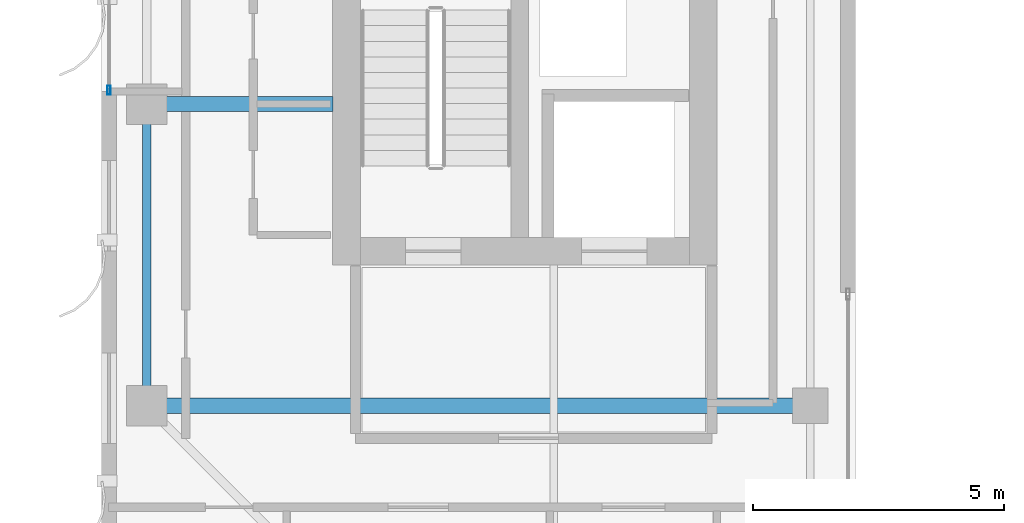
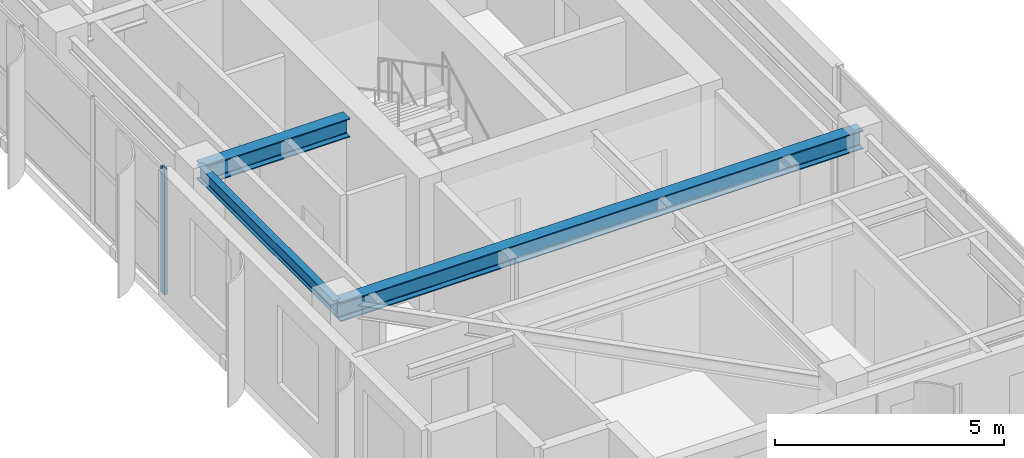
# One storey, part 3 of 24: 3 beams, 1 member, 1 element without a shape of its own.
"""IFC4 building model written with IfcOpenShell, lengths in metres."""

from ifc_helpers import new_model, si_unit, direction, frame, origin, origin_2d, place, context, subcontext, project, spatial, hollow_rectangle, i_section, extrude, source, transform, mapped, material, layer, layer_set, material_profile, profile_set, type_object, element, aggregate, save


model = new_model("IFC4")

# Units and contexts
model_context = context("Model", 3, precision=1e-05, world=origin(), true_north=direction((0.0, 1.0)))
body_context = subcontext(model_context, "Body", "Model", "MODEL_VIEW")
ifc_project = project(units=[si_unit("LENGTHUNIT", "METRE"), si_unit("AREAUNIT", "SQUARE_METRE"), si_unit("VOLUMEUNIT", "CUBIC_METRE"), si_unit("PLANEANGLEUNIT", "RADIAN"), si_unit("MASSUNIT", "GRAM", prefix="KILO")], contexts=[model_context])

# Site, building, storey
site_placement = place(None, origin())
site = spatial("IfcSite", under=ifc_project, at=site_placement, CompositionType="ELEMENT")
building_placement = place(site_placement, origin())
building = spatial("IfcBuilding", under=site, at=building_placement, Name="Khoralis Quay Care Tower", CompositionType="ELEMENT")
storey_placement = place(building_placement, frame((0.0, 0.0, 231.300048828125)))
storey = spatial("IfcBuildingStorey", under=building, at=storey_placement, Name="L60", CompositionType="ELEMENT", Elevation=231.300048828125)

# Beams
ifc_material_1 = material(Name="Steel S355", Category="steel")
ifc_material_profile_1 = material_profile(ifc_material_1, i_section(OverallWidth=0.169921875, OverallDepth=0.360107421875, WebThickness=0.008056640625, FlangeThickness=0.0126953125, FilletRadius=0.01806640625, at=origin_2d()), Name="Steel S355")
ifc_profile_set_1 = profile_set([ifc_material_profile_1], Name="Steel S355")
beam_type_1 = type_object("IfcBeamType", Name="BM-IPE360", PredefinedType="SPANDREL", material=ifc_profile_set_1)
shared_shape_1 = source(origin(), body_context, "Body", "SweptSolid", [
    extrude(i_section(OverallWidth=0.169921875, OverallDepth=0.360107421875, WebThickness=0.008056640625, FlangeThickness=0.0126953125, FilletRadius=0.01806640625, at=origin_2d()), origin(), (0.0, 0.0, 1.0), 6.0),
])
beam_1_placement = place(storey_placement, frame((3.89990234375, 12.0, 3.179931640625), z_axis=(0.0, 1.0, 0.0), x_axis=(-1.0, 0.0, 0.0)))
element("IfcBeam", 1, at=beam_1_placement, inside=storey, type_object=beam_type_1, Name="BM-TSP-L60-05", PredefinedType="SPANDREL", context=body_context, shape_type="MappedRepresentation", body=[
    mapped(shared_shape_1, transform((0.0, 0.0, 0.0), scale=1.0)),
])
ifc_material_profile_2 = material_profile(ifc_material_1, i_section(OverallWidth=0.300048828125, OverallDepth=0.5, WebThickness=0.014404296875, FlangeThickness=0.028076171875, FilletRadius=0.027099609375, at=origin_2d()), Name="Steel S355")
ifc_profile_set_2 = profile_set([ifc_material_profile_2], Name="Steel S355")
beam_type_2 = type_object("IfcBeamType", Name="BM-HEB500", PredefinedType="BEAM", material=ifc_profile_set_2)
shared_shape_2 = source(origin(), body_context, "Body", "SweptSolid", [
    extrude(i_section(OverallWidth=0.300048828125, OverallDepth=0.5, WebThickness=0.014404296875, FlangeThickness=0.028076171875, FilletRadius=0.027099609375, at=origin_2d()), origin(), (0.0, 0.0, 1.0), 13.2001953125),
])
beam_2_placement = place(storey_placement, frame((3.89990234375, 12.0, 3.10986328125), z_axis=(1.0, 0.0, 0.0), x_axis=(0.0, 1.0, 0.0)))
element("IfcBeam", 2, at=beam_2_placement, inside=storey, type_object=beam_type_2, Name="BM-TGXW-L60-120", PredefinedType="BEAM", context=body_context, shape_type="MappedRepresentation", body=[
    mapped(shared_shape_2, transform((0.0, 0.0, 0.0), scale=1.0)),
])
shared_shape_3 = source(origin(), body_context, "Body", "SweptSolid", [
    extrude(i_section(OverallWidth=0.300048828125, OverallDepth=0.5, WebThickness=0.014404296875, FlangeThickness=0.028076171875, FilletRadius=0.027099609375, at=origin_2d()), origin(), (0.0, 0.0, 1.0), 3.7021484375),
])
beam_3_placement = place(storey_placement, frame((3.89990234375, 18.0, 3.10986328125), z_axis=(1.0, 0.0, 0.0), x_axis=(0.0, 1.0, 0.0)))
element("IfcBeam", 3, at=beam_3_placement, inside=storey, type_object=beam_type_2, Name="BM-TGXW-L60-180", PredefinedType="BEAM", context=body_context, shape_type="MappedRepresentation", body=[
    mapped(shared_shape_3, transform((0.0, 0.0, 0.0), scale=1.0)),
])

# Curtain wall, member
ifc_material_2 = material(Name="Pale anodised aluminium", Category="aluminium")
ifc_layer = layer(ifc_material_2, 0.159912109375)
ifc_layer_set = layer_set([ifc_layer], Name="Pale anodised aluminium")
curtain_wall_type = type_object("IfcCurtainWallType", Name="CW-SYS-Z3", PredefinedType="NOTDEFINED", material=ifc_layer_set)
curtain_wall_placement = place(storey_placement, origin())
curtain_wall = element("IfcCurtainWall", 4, at=curtain_wall_placement, inside=storey, type_object=curtain_wall_type, Name="L60 Unitised Curtain Wall CW-L60-P1-E7", PredefinedType="NOTDEFINED")
ifc_material_profile_3 = material_profile(ifc_material_2, hollow_rectangle(XDim=0.06494140625, YDim=0.179931640625, WallThickness=0.00390625, at=origin_2d()), Name="Pale anodised aluminium")
ifc_profile_set_3 = profile_set([ifc_material_profile_3], Name="Pale anodised aluminium")
member_type = type_object("IfcMemberType", Name="CW-MUL-180", PredefinedType="MULLION", material=ifc_profile_set_3)
shared_shape_4 = source(origin(), body_context, "Body", "SweptSolid", [
    extrude(hollow_rectangle(XDim=0.06494140625, YDim=0.179931640625, WallThickness=0.00390625, at=origin_2d()), origin(), (0.0, 0.0, 1.0), 3.35986328125),
])
member_placement = place(storey_placement, frame((3.14990234375, 18.280029296875, 0.0), z_axis=(0.0, 0.0, 1.0), x_axis=(1.0, 0.0, 0.0)))
member = element("IfcMember", 5, at=member_placement, type_object=member_type, Name="CW3 mullion 4", PredefinedType="MULLION", context=body_context, shape_type="MappedRepresentation", body=[
    mapped(shared_shape_4, transform((0.0, 0.0, 0.0), scale=1.0)),
])
aggregate(curtain_wall, [member])

save(model, "model.ifc")
